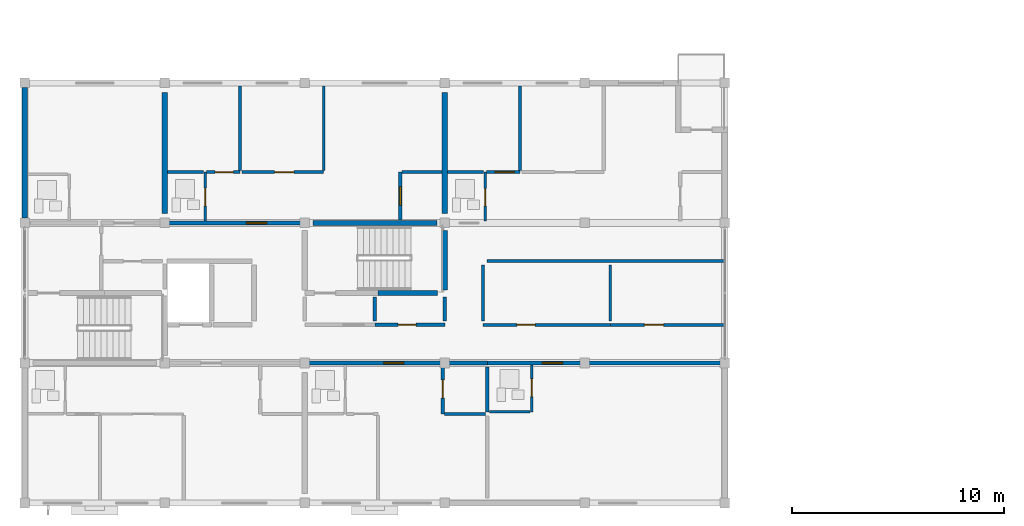
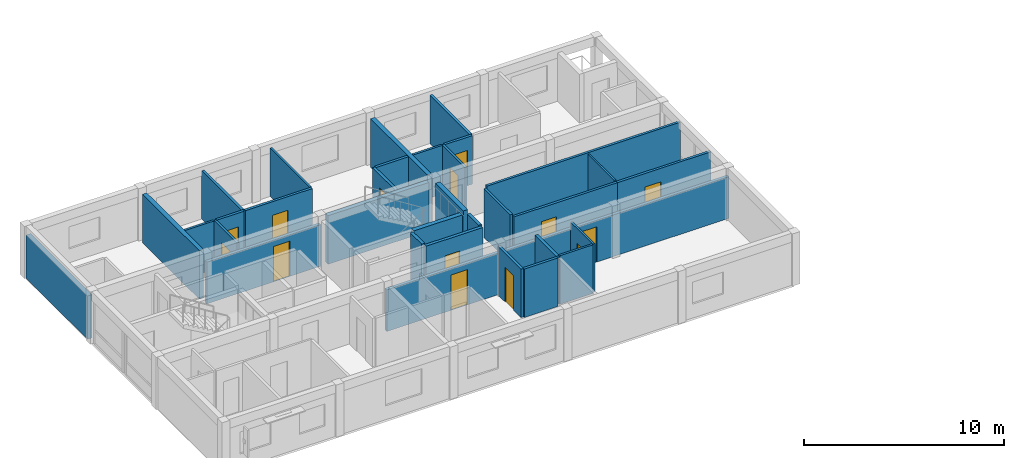
# One storey, part 21 of 37: 34 walls, 14 doors, 14 openings.
"""IFC4 building model written with IfcOpenShell, lengths in metres."""

from ifc_helpers import new_model, si_unit, direction, frame, frame_2d, origin, place, context, subcontext, project, spatial, rectangle, extrude, material, layer, layer_set, type_object, element, fill, save


model = new_model("IFC4")

# Units and contexts
model_context = context("Model", 3, precision=1e-05, world=origin(), true_north=direction((0.0, 1.0)))
body_context = subcontext(model_context, "Body", "Model", "MODEL_VIEW")
ifc_project = project(units=[si_unit("LENGTHUNIT", "METRE"), si_unit("AREAUNIT", "SQUARE_METRE"), si_unit("VOLUMEUNIT", "CUBIC_METRE"), si_unit("PLANEANGLEUNIT", "RADIAN"), si_unit("MASSUNIT", "GRAM", prefix="KILO")], contexts=[model_context])

# Site, building, storey
site_placement = place(None, origin())
site = spatial("IfcSite", under=ifc_project, at=site_placement, CompositionType="ELEMENT")
building_placement = place(site_placement, origin())
building = spatial("IfcBuilding", under=site, at=building_placement, Name="Kernevlak Ridge Housing Community", CompositionType="ELEMENT")
storey_placement = place(building_placement, frame((0.0, 0.0, 37.199951171875)))
storey = spatial("IfcBuildingStorey", under=building, at=storey_placement, Name="L11", CompositionType="ELEMENT", Elevation=37.199951171875)

# Wall
ifc_material_1 = material(Name="Concrete block masonry M10", Category="masonry")
ifc_layer_1 = layer(ifc_material_1, 0.260009765625, Name="Concrete block masonry M10")
ifc_layer_set_1 = layer_set([ifc_layer_1], Name="Concrete block masonry M10")
wall_type_1 = type_object("IfcWallType", Name="EW-05", PredefinedType="STANDARD", material=ifc_layer_set_1)
wall_1_placement = place(storey_placement, frame((15.60009765625, 89.425048828125, 0.0), z_axis=(0.0, 0.0, 1.0), x_axis=(0.0, 1.0, 0.0)))
element("IfcWall", 1, at=wall_1_placement, inside=storey, type_object=wall_type_1, Name="Exterior wall EW-05 L11 186", PredefinedType="STANDARD", context=body_context, shape_type="SweptSolid", body=[
    extrude(rectangle(XDim=6.14990234375, YDim=0.260009765625, at=frame_2d((3.074951171875, 0.0))), origin(), (0.0, 0.0, 1.0), 2.650146484375),
])

# Wall, opening, door
ifc_layer_2 = layer(ifc_material_1, 0.175048828125, Name="Concrete block masonry M10")
ifc_layer_set_2 = layer_set([ifc_layer_2], Name="Concrete block masonry M10")
wall_type_2 = type_object("IfcWallType", Name="PW-02", PredefinedType="PARTITIONING", material=ifc_layer_set_2)
wall_2_placement = place(storey_placement, frame((32.10009765625, 84.39990234375, 0.0), z_axis=(0.0, 0.0, 1.0), x_axis=(1.0, 0.0, 0.0)))
wall_2 = element("IfcWall", 2, at=wall_2_placement, inside=storey, type_object=wall_type_2, Name="Interior wall PW-02 WAL-INT-L11-0705", PredefinedType="PARTITIONING", context=body_context, shape_type="SweptSolid", body=[
    extrude(rectangle(XDim=3.2998046875, YDim=0.175048828125, at=frame_2d((1.64990234375, 0.0))), origin(), (0.0, 0.0, 1.0), 2.969970703125),
])
opening_1_placement = place(wall_2_placement, frame((1.10009765625, 0.0, 0.0)))
opening_1 = element("IfcOpeningElement", 3, at=opening_1_placement, cuts=wall_2, Name="Opening D356", PredefinedType="OPENING", context=body_context, shape_type="SweptSolid", body=[
    extrude(rectangle(XDim=0.85009765625, YDim=2.0, at=frame_2d((0.425048828125, 1.0))), frame((0.0, 0.097412109375, 0.0), z_axis=(0.0, -1.0, 0.0), x_axis=(1.0, 0.0, 0.0)), (0.0, 0.0, 1.0), 0.195068359375),
])
ifc_material_2 = material(Name="Fire-rated sheet steel leaf", Category="steel")
door_type_1 = type_object("IfcDoorType", Name="DT-07", OperationType="NOTDEFINED", PredefinedType="DOOR", material=ifc_material_2)
door_1_placement = place(opening_1_placement, origin())
door_1 = element("IfcDoor", 4, at=door_1_placement, inside=storey, type_object=door_type_1, Name="Block A Cleaner store door D356", OperationType="SINGLE_SWING_RIGHT", OverallHeight=2.0, OverallWidth=0.85009765625, PredefinedType="DOOR", context=body_context, shape_type="SweptSolid", body=[
    extrude(rectangle(XDim=0.85009765625, YDim=2.0, at=frame_2d((0.425048828125, 1.0))), frame((0.0, 0.02490234375, 0.0), z_axis=(0.0, -1.0, 0.0), x_axis=(1.0, 0.0, 0.0)), (0.0, 0.0, 1.0), 0.050048828125),
])
fill(opening_1, door_1)

# Walls
for number, where, z_axis, x_axis, name in (
    (5, (32.10009765625, 84.580078125, 0.0), (0.0, 0.0, 1.0), (0.0, 1.0, 0.0), "Interior wall PW-02 WAL-INT-L11-0707"),
    (6, (35.39990234375, 84.580078125, 0.0), (0.0, 0.0, 1.0), (0.0, 1.0, 0.0), "Interior wall PW-02 WAL-INT-L11-0708"),
):
    element("IfcWall", number, at=place(storey_placement, frame(where, z_axis=z_axis, x_axis=x_axis)), inside=storey, type_object=wall_type_2, Name=name, PredefinedType="PARTITIONING", context=body_context, shape_type="SweptSolid", body=[
        extrude(rectangle(XDim=1.139892578125, YDim=0.175048828125, at=frame_2d((0.56982421875, 0.0))), origin(), (0.0, 0.0, 1.0), 2.969970703125),
    ])

# Wall, opening, door
wall_3_placement = place(storey_placement, frame((28.800048828125, 82.60009765625, 0.0), z_axis=(0.0, 0.0, 1.0), x_axis=(1.0, 0.0, 0.0)))
wall_3 = element("IfcWall", 7, at=wall_3_placement, inside=storey, type_object=wall_type_2, Name="Interior wall PW-02 WAL-INT-L11-0723", PredefinedType="PARTITIONING", context=body_context, shape_type="SweptSolid", body=[
    extrude(rectangle(XDim=8.599853515625, YDim=0.175048828125, at=frame_2d((4.2998046875, 0.0))), origin(), (0.0, 0.0, 1.0), 2.550048828125),
])
opening_2_placement = place(wall_3_placement, frame((3.72509765625, 0.0, 0.0)))
opening_2 = element("IfcOpeningElement", 8, at=opening_2_placement, cuts=wall_3, Name="Opening D364", PredefinedType="OPENING", context=body_context, shape_type="SweptSolid", body=[
    extrude(rectangle(XDim=0.949951171875, YDim=2.159912109375, at=frame_2d((0.47509765625, 1.080078125))), frame((0.0, 0.097412109375, 0.0), z_axis=(0.0, -1.0, 0.0), x_axis=(1.0, 0.0, 0.0)), (0.0, 0.0, 1.0), 0.195068359375),
])
ifc_material_3 = material(Name="Hardwood timber solid-core fire leaf", Category="wood")
door_type_2 = type_object("IfcDoorType", Name="DT-02", OperationType="NOTDEFINED", PredefinedType="DOOR", material=ifc_material_3)
door_2_placement = place(opening_2_placement, origin())
door_2 = element("IfcDoor", 9, at=door_2_placement, inside=storey, type_object=door_type_2, Name="Flat A1112 entrance fire door D364", OperationType="SINGLE_SWING_RIGHT", OverallHeight=2.159912109375, OverallWidth=0.949951171875, PredefinedType="DOOR", context=body_context, shape_type="SweptSolid", body=[
    extrude(rectangle(XDim=0.949951171875, YDim=2.159912109375, at=frame_2d((0.47509765625, 1.080078125))), frame((0.0, 0.02490234375, 0.0), z_axis=(0.0, -1.0, 0.0), x_axis=(1.0, 0.0, 0.0)), (0.0, 0.0, 1.0), 0.050048828125),
])
fill(opening_2, door_2)

# Wall
wall_4_placement = place(storey_placement, frame((37.39990234375, 82.419921875, 0.0), z_axis=(0.0, 0.0, 1.0), x_axis=(0.0, -1.0, 0.0)))
element("IfcWall", 10, at=wall_4_placement, inside=storey, type_object=wall_type_2, Name="Interior wall PW-02 WAL-INT-L11-0730", PredefinedType="PARTITIONING", context=body_context, shape_type="SweptSolid", body=[
    extrude(rectangle(XDim=2.13232421875, YDim=0.175048828125, at=frame_2d((1.066162109375, 0.0))), origin(), (0.0, 0.0, 1.0), 2.969970703125),
])

# Wall, opening, door
wall_5_placement = place(storey_placement, frame((37.39990234375, 82.60009765625, 0.0), z_axis=(0.0, 0.0, 1.0), x_axis=(1.0, 0.0, 0.0)))
wall_5 = element("IfcWall", 11, at=wall_5_placement, inside=storey, type_object=wall_type_2, Name="Interior wall PW-02 WAL-INT-L11-0731", PredefinedType="PARTITIONING", context=body_context, shape_type="SweptSolid", body=[
    extrude(rectangle(XDim=11.2001953125, YDim=0.175048828125, at=frame_2d((5.60009765625, 0.0))), origin(), (0.0, 0.0, 1.0), 2.550048828125),
])
opening_3_placement = place(wall_5_placement, frame((2.60009765625, 0.0, 0.0)))
opening_3 = element("IfcOpeningElement", 12, at=opening_3_placement, cuts=wall_5, Name="Opening D368", PredefinedType="OPENING", context=body_context, shape_type="SweptSolid", body=[
    extrude(rectangle(XDim=0.949951171875, YDim=2.159912109375, at=frame_2d((0.47509765625, 1.080078125))), frame((0.0, 0.097412109375, 0.0), z_axis=(0.0, -1.0, 0.0), x_axis=(1.0, 0.0, 0.0)), (0.0, 0.0, 1.0), 0.195068359375),
])
door_3_placement = place(opening_3_placement, origin())
door_3 = element("IfcDoor", 13, at=door_3_placement, inside=storey, type_object=door_type_2, Name="Flat A1113 entrance fire door D368", OperationType="SINGLE_SWING_RIGHT", OverallHeight=2.159912109375, OverallWidth=0.949951171875, PredefinedType="DOOR", context=body_context, shape_type="SweptSolid", body=[
    extrude(rectangle(XDim=0.949951171875, YDim=2.159912109375, at=frame_2d((0.47509765625, 1.080078125))), frame((0.0, 0.02490234375, 0.0), z_axis=(0.0, -1.0, 0.0), x_axis=(1.0, 0.0, 0.0)), (0.0, 0.0, 1.0), 0.050048828125),
])
fill(opening_3, door_3)

wall_6_placement = place(storey_placement, frame((22.199951171875, 89.199951171875, 0.0), z_axis=(0.0, 0.0, 1.0), x_axis=(1.0, 0.0, 0.0)))
wall_6 = element("IfcWall", 14, at=wall_6_placement, inside=storey, type_object=wall_type_2, Name="Interior wall PW-02 WAL-INT-L11-0738", PredefinedType="PARTITIONING", context=body_context, shape_type="SweptSolid", body=[
    extrude(rectangle(XDim=6.60009765625, YDim=0.175048828125, at=frame_2d((3.300048828125, 0.0))), origin(), (0.0, 0.0, 1.0), 2.550048828125),
])
opening_4_placement = place(wall_6_placement, frame((3.85009765625, 0.0, 0.0)))
opening_4 = element("IfcOpeningElement", 15, at=opening_4_placement, cuts=wall_6, Name="Opening D372", PredefinedType="OPENING", context=body_context, shape_type="SweptSolid", body=[
    extrude(rectangle(XDim=0.949951171875, YDim=2.159912109375, at=frame_2d((0.47509765625, 1.080078125))), frame((0.0, 0.097412109375, 0.0), z_axis=(0.0, -1.0, 0.0), x_axis=(1.0, 0.0, 0.0)), (0.0, 0.0, 1.0), 0.195068359375),
])
door_4_placement = place(opening_4_placement, origin())
door_4 = element("IfcDoor", 16, at=door_4_placement, inside=storey, type_object=door_type_2, Name="Flat A1122 entrance fire door D372", OperationType="SINGLE_SWING_RIGHT", OverallHeight=2.159912109375, OverallWidth=0.949951171875, PredefinedType="DOOR", context=body_context, shape_type="SweptSolid", body=[
    extrude(rectangle(XDim=0.949951171875, YDim=2.159912109375, at=frame_2d((0.47509765625, 1.080078125))), frame((0.0, 0.02490234375, 0.0), z_axis=(0.0, -1.0, 0.0), x_axis=(1.0, 0.0, 0.0)), (0.0, 0.0, 1.0), 0.050048828125),
])
fill(opening_4, door_4)

ifc_layer_3 = layer(ifc_material_1, 0.14501953125, Name="Concrete block masonry M10")
ifc_layer_set_3 = layer_set([ifc_layer_3], Name="Concrete block masonry M10")
wall_type_3 = type_object("IfcWallType", Name="PW-03", PredefinedType="PARTITIONING", material=ifc_layer_set_3)
wall_7_placement = place(storey_placement, frame((37.199951171875, 84.39990234375, 0.0), z_axis=(0.0, 0.0, 1.0), x_axis=(1.0, 0.0, 0.0)))
wall_7 = element("IfcWall", 17, at=wall_7_placement, inside=storey, type_object=wall_type_3, Name="Interior wall PW-03 WAL-INT-L11-0709", PredefinedType="PARTITIONING", context=body_context, shape_type="SweptSolid", body=[
    extrude(rectangle(XDim=6.0, YDim=0.14501953125, at=frame_2d((3.0, 0.0))), origin(), (0.0, 0.0, 1.0), 2.969970703125),
])
opening_5_placement = place(wall_7_placement, frame((1.60009765625, 0.0, 0.0)))
opening_5 = element("IfcOpeningElement", 18, at=opening_5_placement, cuts=wall_7, Name="Opening D357", PredefinedType="OPENING", context=body_context, shape_type="SweptSolid", body=[
    extrude(rectangle(XDim=0.860107421875, YDim=2.1201171875, at=frame_2d((0.43017578125, 1.06005859375))), frame((0.0, 0.08251953125, 0.0), z_axis=(0.0, -1.0, 0.0), x_axis=(1.0, 0.0, 0.0)), (0.0, 0.0, 1.0), 0.1650390625),
])
ifc_material_4 = material(Name="Hardwood timber leaf", Category="wood")
door_type_3 = type_object("IfcDoorType", Name="DT-28", OperationType="NOTDEFINED", PredefinedType="DOOR", material=ifc_material_4)
door_5_placement = place(opening_5_placement, origin())
door_5 = element("IfcDoor", 19, at=door_5_placement, inside=storey, type_object=door_type_3, Name="Block A Laundry room door D357", OperationType="SINGLE_SWING_LEFT", OverallHeight=2.1201171875, OverallWidth=0.860107421875, PredefinedType="DOOR", context=body_context, shape_type="SweptSolid", body=[
    extrude(rectangle(XDim=0.860107421875, YDim=2.1201171875, at=frame_2d((0.43017578125, 1.06005859375))), frame((0.0, 0.02490234375, 0.0), z_axis=(0.0, -1.0, 0.0), x_axis=(1.0, 0.0, 0.0)), (0.0, 0.0, 1.0), 0.050048828125),
])
fill(opening_5, door_5)

wall_8_placement = place(storey_placement, frame((43.199951171875, 84.39990234375, 0.0), z_axis=(0.0, 0.0, 1.0), x_axis=(1.0, 0.0, 0.0)))
wall_8 = element("IfcWall", 20, at=wall_8_placement, inside=storey, type_object=wall_type_3, Name="Interior wall PW-03 WAL-INT-L11-0710", PredefinedType="PARTITIONING", context=body_context, shape_type="SweptSolid", body=[
    extrude(rectangle(XDim=5.400146484375, YDim=0.14501953125, at=frame_2d((2.7001953125, 0.0))), origin(), (0.0, 0.0, 1.0), 2.969970703125),
])
opening_6_placement = place(wall_8_placement, frame((1.60009765625, 0.0, 0.0)))
opening_6 = element("IfcOpeningElement", 21, at=opening_6_placement, cuts=wall_8, Name="Opening D358", PredefinedType="OPENING", context=body_context, shape_type="SweptSolid", body=[
    extrude(rectangle(XDim=0.909912109375, YDim=2.139892578125, at=frame_2d((0.455078125, 1.06982421875))), frame((0.0, 0.08251953125, 0.0), z_axis=(0.0, -1.0, 0.0), x_axis=(1.0, 0.0, 0.0)), (0.0, 0.0, 1.0), 0.1650390625),
])
door_type_4 = type_object("IfcDoorType", Name="DT-31", OperationType="NOTDEFINED", PredefinedType="DOOR", material=ifc_material_4)
door_6_placement = place(opening_6_placement, origin())
door_6 = element("IfcDoor", 22, at=door_6_placement, inside=storey, type_object=door_type_4, Name="Block A Study room door D358", OperationType="SINGLE_SWING_RIGHT", OverallHeight=2.139892578125, OverallWidth=0.909912109375, PredefinedType="DOOR", context=body_context, shape_type="SweptSolid", body=[
    extrude(rectangle(XDim=0.909912109375, YDim=2.139892578125, at=frame_2d((0.455078125, 1.06982421875))), frame((0.0, 0.02490234375, 0.0), z_axis=(0.0, -1.0, 0.0), x_axis=(1.0, 0.0, 0.0)), (0.0, 0.0, 1.0), 0.050048828125),
])
fill(opening_6, door_6)

# Walls
wall_9_placement = place(storey_placement, frame((37.3798828125, 87.39990234375, 0.0), z_axis=(0.0, 0.0, 1.0), x_axis=(1.0, 0.0, 0.0)))
element("IfcWall", 23, at=wall_9_placement, inside=storey, type_object=wall_type_3, Name="Interior wall PW-03 WAL-INT-L11-0712", PredefinedType="PARTITIONING", context=body_context, shape_type="SweptSolid", body=[
    extrude(rectangle(XDim=11.2001953125, YDim=0.14501953125, at=frame_2d((5.60009765625, 0.0))), origin(), (0.0, 0.0, 1.0), 2.969970703125),
])
wall_10_placement = place(storey_placement, frame((37.199951171875, 84.580078125, 0.0), z_axis=(0.0, 0.0, 1.0), x_axis=(0.0, 1.0, 0.0)))
element("IfcWall", 24, at=wall_10_placement, inside=storey, type_object=wall_type_3, Name="Interior wall PW-03 WAL-INT-L11-0713", PredefinedType="PARTITIONING", context=body_context, shape_type="SweptSolid", body=[
    extrude(rectangle(XDim=2.639892578125, YDim=0.14501953125, at=frame_2d((1.31982421875, 0.0))), origin(), (0.0, 0.0, 1.0), 2.969970703125),
])

# Wall, opening, door
wall_11_placement = place(storey_placement, frame((24.172607421875, 91.60009765625, 0.0), z_axis=(0.0, 0.0, 1.0), x_axis=(1.0, 0.0, 0.0)))
wall_11 = element("IfcWall", 25, at=wall_11_placement, inside=storey, type_object=wall_type_3, Name="Interior wall PW-03 WAL-INT-L11-0743", PredefinedType="PARTITIONING", context=body_context, shape_type="SweptSolid", body=[
    extrude(rectangle(XDim=1.577392578125, YDim=0.14501953125, at=frame_2d((0.78857421875, 0.0))), origin(), (0.0, 0.0, 1.0), 2.969970703125),
])
opening_7_placement = place(wall_11_placement, frame((0.39990234375, 0.0, 0.0)))
opening_7 = element("IfcOpeningElement", 26, at=opening_7_placement, cuts=wall_11, Name="Opening D375", PredefinedType="OPENING", context=body_context, shape_type="SweptSolid", body=[
    extrude(rectangle(XDim=0.860107421875, YDim=2.1201171875, at=frame_2d((0.43017578125, 1.06005859375))), frame((0.0, 0.08251953125, 0.0), z_axis=(0.0, -1.0, 0.0), x_axis=(1.0, 0.0, 0.0)), (0.0, 0.0, 1.0), 0.1650390625),
])
door_7_placement = place(opening_7_placement, origin())
door_7 = element("IfcDoor", 27, at=door_7_placement, inside=storey, type_object=door_type_3, Name="Flat A1122 bedroom door D375", OperationType="SINGLE_SWING_LEFT", OverallHeight=2.1201171875, OverallWidth=0.860107421875, PredefinedType="DOOR", context=body_context, shape_type="SweptSolid", body=[
    extrude(rectangle(XDim=0.860107421875, YDim=2.1201171875, at=frame_2d((0.43017578125, 1.06005859375))), frame((0.0, 0.02490234375, 0.0), z_axis=(0.0, -1.0, 0.0), x_axis=(1.0, 0.0, 0.0)), (0.0, 0.0, 1.0), 0.050048828125),
])
fill(opening_7, door_7)

# Wall
wall_12_placement = place(storey_placement, frame((25.75, 91.6826171875, 0.0), z_axis=(0.0, 0.0, 1.0), x_axis=(0.0, 1.0, 0.0)))
element("IfcWall", 28, at=wall_12_placement, inside=storey, type_object=wall_type_3, Name="Interior wall PW-03 WAL-INT-L11-0744", PredefinedType="PARTITIONING", context=body_context, shape_type="SweptSolid", body=[
    extrude(rectangle(XDim=3.977294921875, YDim=0.14501953125, at=frame_2d((1.98876953125, 0.0))), origin(), (0.0, 0.0, 1.0), 2.969970703125),
])

# Wall, opening, door
wall_13_placement = place(storey_placement, frame((25.83251953125, 91.60009765625, 0.0), z_axis=(0.0, 0.0, 1.0), x_axis=(1.0, 0.0, 0.0)))
wall_13 = element("IfcWall", 29, at=wall_13_placement, inside=storey, type_object=wall_type_3, Name="Interior wall PW-03 WAL-INT-L11-0745", PredefinedType="PARTITIONING", context=body_context, shape_type="SweptSolid", body=[
    extrude(rectangle(XDim=3.859375, YDim=0.14501953125, at=frame_2d((1.9296875, 0.0))), origin(), (0.0, 0.0, 1.0), 2.969970703125),
])
opening_8_placement = place(wall_13_placement, frame((1.5458984375, 0.0, 0.0)))
opening_8 = element("IfcOpeningElement", 30, at=opening_8_placement, cuts=wall_13, Name="Opening D376", PredefinedType="OPENING", context=body_context, shape_type="SweptSolid", body=[
    extrude(rectangle(XDim=0.909912109375, YDim=2.139892578125, at=frame_2d((0.455078125, 1.06982421875))), frame((0.0, 0.08251953125, 0.0), z_axis=(0.0, -1.0, 0.0), x_axis=(1.0, 0.0, 0.0)), (0.0, 0.0, 1.0), 0.1650390625),
])
door_8_placement = place(opening_8_placement, origin())
door_8 = element("IfcDoor", 31, at=door_8_placement, inside=storey, type_object=door_type_4, Name="Flat A1122 bedroom door D376", OperationType="SINGLE_SWING_RIGHT", OverallHeight=2.139892578125, OverallWidth=0.909912109375, PredefinedType="DOOR", context=body_context, shape_type="SweptSolid", body=[
    extrude(rectangle(XDim=0.909912109375, YDim=2.139892578125, at=frame_2d((0.455078125, 1.06982421875))), frame((0.0, 0.02490234375, 0.0), z_axis=(0.0, -1.0, 0.0), x_axis=(1.0, 0.0, 0.0)), (0.0, 0.0, 1.0), 0.050048828125),
])
fill(opening_8, door_8)

wall_14_placement = place(storey_placement, frame((37.37255859375, 91.60009765625, 0.0), z_axis=(0.0, 0.0, 1.0), x_axis=(1.0, 0.0, 0.0)))
wall_14 = element("IfcWall", 32, at=wall_14_placement, inside=storey, type_object=wall_type_3, Name="Interior wall PW-03 WAL-INT-L11-0752", PredefinedType="PARTITIONING", context=body_context, shape_type="SweptSolid", body=[
    extrude(rectangle(XDim=1.577392578125, YDim=0.14501953125, at=frame_2d((0.78857421875, 0.0))), origin(), (0.0, 0.0, 1.0), 2.969970703125),
])
opening_9_placement = place(wall_14_placement, frame((0.39990234375, 0.0, 0.0)))
opening_9 = element("IfcOpeningElement", 33, at=opening_9_placement, cuts=wall_14, Name="Opening D380", PredefinedType="OPENING", context=body_context, shape_type="SweptSolid", body=[
    extrude(rectangle(XDim=0.89990234375, YDim=2.159912109375, at=frame_2d((0.449951171875, 1.080078125))), frame((0.0, 0.08251953125, 0.0), z_axis=(0.0, -1.0, 0.0), x_axis=(1.0, 0.0, 0.0)), (0.0, 0.0, 1.0), 0.1650390625),
])
door_type_5 = type_object("IfcDoorType", Name="DT-22", OperationType="NOTDEFINED", PredefinedType="DOOR", material=ifc_material_4)
door_9_placement = place(opening_9_placement, origin())
door_9 = element("IfcDoor", 34, at=door_9_placement, inside=storey, type_object=door_type_5, Name="Flat A1123 bedroom door D380", OperationType="SINGLE_SWING_RIGHT", OverallHeight=2.159912109375, OverallWidth=0.89990234375, PredefinedType="DOOR", context=body_context, shape_type="SweptSolid", body=[
    extrude(rectangle(XDim=0.89990234375, YDim=2.159912109375, at=frame_2d((0.449951171875, 1.080078125))), frame((0.0, 0.02490234375, 0.0), z_axis=(0.0, -1.0, 0.0), x_axis=(1.0, 0.0, 0.0)), (0.0, 0.0, 1.0), 0.050048828125),
])
fill(opening_9, door_9)

# Wall
wall_15_placement = place(storey_placement, frame((38.949951171875, 91.6826171875, 0.0), z_axis=(0.0, 0.0, 1.0), x_axis=(0.0, 1.0, 0.0)))
element("IfcWall", 35, at=wall_15_placement, inside=storey, type_object=wall_type_3, Name="Interior wall PW-03 WAL-INT-L11-0753", PredefinedType="PARTITIONING", context=body_context, shape_type="SweptSolid", body=[
    extrude(rectangle(XDim=3.977294921875, YDim=0.14501953125, at=frame_2d((1.98876953125, 0.0))), origin(), (0.0, 0.0, 1.0), 2.969970703125),
])

# Wall, opening, door
ifc_material_5 = material(Name="Gypsum plasterboard EN 520", Category="gypsum")
ifc_layer_4 = layer(ifc_material_5, 0.125, Name="Gypsum plasterboard EN 520")
ifc_layer_set_4 = layer_set([ifc_layer_4], Name="Gypsum plasterboard EN 520")
wall_type_4 = type_object("IfcWallType", Name="PW-04", PredefinedType="PARTITIONING", material=ifc_layer_set_4)
wall_16_placement = place(storey_placement, frame((39.5, 82.50244140625, 0.0), z_axis=(0.0, 0.0, 1.0), x_axis=(0.0, -1.0, 0.0)))
wall_16 = element("IfcWall", 36, at=wall_16_placement, inside=storey, type_object=wall_type_4, Name="Interior wall PW-04 WAL-INT-L11-0732", PredefinedType="PARTITIONING", context=body_context, shape_type="SweptSolid", body=[
    extrude(rectangle(XDim=2.202392578125, YDim=0.125, at=frame_2d((1.10107421875, 0.0))), origin(), (0.0, 0.0, 1.0), 2.969970703125),
])
opening_10_placement = place(wall_16_placement, frame((0.64990234375, 0.0, 0.0)))
opening_10 = element("IfcOpeningElement", 37, at=opening_10_placement, cuts=wall_16, Name="Opening D369", PredefinedType="OPENING", context=body_context, shape_type="SweptSolid", body=[
    extrude(rectangle(XDim=0.840087890625, YDim=2.06005859375, at=frame_2d((0.419921875, 1.030029296875))), frame((0.0, 0.072509765625, 0.0), z_axis=(0.0, -1.0, 0.0), x_axis=(1.0, 0.0, 0.0)), (0.0, 0.0, 1.0), 0.14501953125),
])
ifc_material_6 = material(Name="Hardwood timber moisture-resistant leaf", Category="wood")
door_type_6 = type_object("IfcDoorType", Name="DT-27", OperationType="NOTDEFINED", PredefinedType="DOOR", material=ifc_material_6)
door_10_placement = place(opening_10_placement, origin())
door_10 = element("IfcDoor", 38, at=door_10_placement, inside=storey, type_object=door_type_6, Name="Flat A1113 bathroom door D369", OperationType="SINGLE_SWING_LEFT", OverallHeight=2.06005859375, OverallWidth=0.840087890625, PredefinedType="DOOR", context=body_context, shape_type="SweptSolid", body=[
    extrude(rectangle(XDim=0.840087890625, YDim=2.06005859375, at=frame_2d((0.419921875, 1.030029296875))), frame((0.0, 0.02490234375, 0.0), z_axis=(0.0, -1.0, 0.0), x_axis=(1.0, 0.0, 0.0)), (0.0, 0.0, 1.0), 0.050048828125),
])
fill(opening_10, door_10)

# Wall
wall_17_placement = place(storey_placement, frame((37.49755859375, 80.300048828125, 0.0), z_axis=(0.0, 0.0, 1.0), x_axis=(1.0, 0.0, 0.0)))
element("IfcWall", 39, at=wall_17_placement, inside=storey, type_object=wall_type_4, Name="Interior wall PW-04 WAL-INT-L11-0733", PredefinedType="PARTITIONING", context=body_context, shape_type="SweptSolid", body=[
    extrude(rectangle(XDim=1.92236328125, YDim=0.125, at=frame_2d((0.961181640625, 0.0))), origin(), (0.0, 0.0, 1.0), 2.969970703125),
])

# Wall, opening, door
wall_18_placement = place(storey_placement, frame((24.10009765625, 89.297607421875, 0.0), z_axis=(0.0, 0.0, 1.0), x_axis=(0.0, 1.0, 0.0)))
wall_18 = element("IfcWall", 40, at=wall_18_placement, inside=storey, type_object=wall_type_4, Name="Interior wall PW-04 WAL-INT-L11-0739", PredefinedType="PARTITIONING", context=body_context, shape_type="SweptSolid", body=[
    extrude(rectangle(XDim=2.302490234375, YDim=0.125, at=frame_2d((1.1513671875, 0.0))), origin(), (0.0, 0.0, 1.0), 2.969970703125),
])
opening_11_placement = place(wall_18_placement, frame((0.699951171875, 0.0, 0.0)))
opening_11 = element("IfcOpeningElement", 41, at=opening_11_placement, cuts=wall_18, Name="Opening D373", PredefinedType="OPENING", context=body_context, shape_type="SweptSolid", body=[
    extrude(rectangle(XDim=0.840087890625, YDim=2.06005859375, at=frame_2d((0.419921875, 1.030029296875))), frame((0.0, 0.072509765625, 0.0), z_axis=(0.0, -1.0, 0.0), x_axis=(1.0, 0.0, 0.0)), (0.0, 0.0, 1.0), 0.14501953125),
])
door_11_placement = place(opening_11_placement, origin())
door_11 = element("IfcDoor", 42, at=door_11_placement, inside=storey, type_object=door_type_6, Name="Flat A1122 bathroom door D373", OperationType="SINGLE_SWING_LEFT", OverallHeight=2.06005859375, OverallWidth=0.840087890625, PredefinedType="DOOR", context=body_context, shape_type="SweptSolid", body=[
    extrude(rectangle(XDim=0.840087890625, YDim=2.06005859375, at=frame_2d((0.419921875, 1.030029296875))), frame((0.0, 0.02490234375, 0.0), z_axis=(0.0, -1.0, 0.0), x_axis=(1.0, 0.0, 0.0)), (0.0, 0.0, 1.0), 0.050048828125),
])
fill(opening_11, door_11)

# Wall
wall_19_placement = place(storey_placement, frame((22.3349609375, 91.60009765625, 0.0), z_axis=(0.0, 0.0, 1.0), x_axis=(1.0, 0.0, 0.0)))
element("IfcWall", 43, at=wall_19_placement, inside=storey, type_object=wall_type_4, Name="Interior wall PW-04 WAL-INT-L11-0740", PredefinedType="PARTITIONING", context=body_context, shape_type="SweptSolid", body=[
    extrude(rectangle(XDim=1.68505859375, YDim=0.125, at=frame_2d((0.842529296875, 0.0))), origin(), (0.0, 0.0, 1.0), 2.969970703125),
])

# Wall, opening, door
wall_20_placement = place(storey_placement, frame((37.300048828125, 89.297607421875, 0.0), z_axis=(0.0, 0.0, 1.0), x_axis=(0.0, 1.0, 0.0)))
wall_20 = element("IfcWall", 44, at=wall_20_placement, inside=storey, type_object=wall_type_4, Name="Interior wall PW-04 WAL-INT-L11-0748", PredefinedType="PARTITIONING", context=body_context, shape_type="SweptSolid", body=[
    extrude(rectangle(XDim=2.302490234375, YDim=0.125, at=frame_2d((1.1513671875, 0.0))), origin(), (0.0, 0.0, 1.0), 2.969970703125),
])
opening_12_placement = place(wall_20_placement, frame((0.699951171875, 0.0, 0.0)))
opening_12 = element("IfcOpeningElement", 45, at=opening_12_placement, cuts=wall_20, Name="Opening D378", PredefinedType="OPENING", context=body_context, shape_type="SweptSolid", body=[
    extrude(rectangle(XDim=0.820068359375, YDim=2.050048828125, at=frame_2d((0.41015625, 1.02490234375))), frame((0.0, 0.072509765625, 0.0), z_axis=(0.0, -1.0, 0.0), x_axis=(1.0, 0.0, 0.0)), (0.0, 0.0, 1.0), 0.14501953125),
])
door_type_7 = type_object("IfcDoorType", Name="DT-30", OperationType="NOTDEFINED", PredefinedType="DOOR", material=ifc_material_6)
door_12_placement = place(opening_12_placement, origin())
door_12 = element("IfcDoor", 46, at=door_12_placement, inside=storey, type_object=door_type_7, Name="Flat A1123 bathroom door D378", OperationType="SINGLE_SWING_RIGHT", OverallHeight=2.050048828125, OverallWidth=0.820068359375, PredefinedType="DOOR", context=body_context, shape_type="SweptSolid", body=[
    extrude(rectangle(XDim=0.820068359375, YDim=2.050048828125, at=frame_2d((0.41015625, 1.02490234375))), frame((0.0, 0.02490234375, 0.0), z_axis=(0.0, -1.0, 0.0), x_axis=(1.0, 0.0, 0.0)), (0.0, 0.0, 1.0), 0.050048828125),
])
fill(opening_12, door_12)

# Wall
wall_21_placement = place(storey_placement, frame((35.534912109375, 91.60009765625, 0.0), z_axis=(0.0, 0.0, 1.0), x_axis=(1.0, 0.0, 0.0)))
element("IfcWall", 47, at=wall_21_placement, inside=storey, type_object=wall_type_4, Name="Interior wall PW-04 WAL-INT-L11-0749", PredefinedType="PARTITIONING", context=body_context, shape_type="SweptSolid", body=[
    extrude(rectangle(XDim=1.68505859375, YDim=0.125, at=frame_2d((0.842529296875, 0.0))), origin(), (0.0, 0.0, 1.0), 2.969970703125),
])

# Wall, opening, door
ifc_layer_5 = layer(ifc_material_5, 0.155029296875, Name="Gypsum plasterboard EN 520")
ifc_layer_set_5 = layer_set([ifc_layer_5], Name="Gypsum plasterboard EN 520")
wall_type_5 = type_object("IfcWallType", Name="PW-05", PredefinedType="PARTITIONING", material=ifc_layer_set_5)
wall_22_placement = place(storey_placement, frame((35.300048828125, 82.50244140625, 0.0), z_axis=(0.0, 0.0, 1.0), x_axis=(0.0, -1.0, 0.0)))
wall_22 = element("IfcWall", 48, at=wall_22_placement, inside=storey, type_object=wall_type_5, Name="Interior wall PW-05 WAL-INT-L11-0726", PredefinedType="PARTITIONING", context=body_context, shape_type="SweptSolid", body=[
    extrude(rectangle(XDim=2.302490234375, YDim=0.155029296875, at=frame_2d((1.1513671875, 0.0))), origin(), (0.0, 0.0, 1.0), 2.969970703125),
])
opening_13_placement = place(wall_22_placement, frame((0.699951171875, 0.0, 0.0)))
opening_13 = element("IfcOpeningElement", 49, at=opening_13_placement, cuts=wall_22, Name="Opening D366", PredefinedType="OPENING", context=body_context, shape_type="SweptSolid", body=[
    extrude(rectangle(XDim=0.860107421875, YDim=2.1201171875, at=frame_2d((0.43017578125, 1.06005859375))), frame((0.0, 0.08740234375, 0.0), z_axis=(0.0, -1.0, 0.0), x_axis=(1.0, 0.0, 0.0)), (0.0, 0.0, 1.0), 0.175048828125),
])
door_13_placement = place(opening_13_placement, origin())
door_13 = element("IfcDoor", 50, at=door_13_placement, inside=storey, type_object=door_type_3, Name="Flat A1112 kitchen door D366", OperationType="SINGLE_SWING_RIGHT", OverallHeight=2.1201171875, OverallWidth=0.860107421875, PredefinedType="DOOR", context=body_context, shape_type="SweptSolid", body=[
    extrude(rectangle(XDim=0.860107421875, YDim=2.1201171875, at=frame_2d((0.43017578125, 1.06005859375))), frame((0.0, 0.02490234375, 0.0), z_axis=(0.0, -1.0, 0.0), x_axis=(1.0, 0.0, 0.0)), (0.0, 0.0, 1.0), 0.050048828125),
])
fill(opening_13, door_13)

# Wall
wall_23_placement = place(storey_placement, frame((35.387451171875, 80.199951171875, 0.0), z_axis=(0.0, 0.0, 1.0), x_axis=(1.0, 0.0, 0.0)))
element("IfcWall", 51, at=wall_23_placement, inside=storey, type_object=wall_type_5, Name="Interior wall PW-05 WAL-INT-L11-0727", PredefinedType="PARTITIONING", context=body_context, shape_type="SweptSolid", body=[
    extrude(rectangle(XDim=1.9326171875, YDim=0.155029296875, at=frame_2d((0.96630859375, 0.0))), origin(), (0.0, 0.0, 1.0), 2.969970703125),
])

# Wall, opening, door
wall_24_placement = place(storey_placement, frame((33.300048828125, 89.3349609375, 0.0), z_axis=(0.0, 0.0, 1.0), x_axis=(0.0, 1.0, 0.0)))
wall_24 = element("IfcWall", 52, at=wall_24_placement, inside=storey, type_object=wall_type_5, Name="Interior wall PW-05 WAL-INT-L11-0741", PredefinedType="PARTITIONING", context=body_context, shape_type="SweptSolid", body=[
    extrude(rectangle(XDim=2.26513671875, YDim=0.155029296875, at=frame_2d((1.132568359375, 0.0))), origin(), (0.0, 0.0, 1.0), 2.969970703125),
])
opening_14_placement = place(wall_24_placement, frame((0.699951171875, 0.0, 0.0)))
opening_14 = element("IfcOpeningElement", 53, at=opening_14_placement, cuts=wall_24, Name="Opening D374", PredefinedType="OPENING", context=body_context, shape_type="SweptSolid", body=[
    extrude(rectangle(XDim=0.8798828125, YDim=2.159912109375, at=frame_2d((0.43994140625, 1.080078125))), frame((0.0, 0.08740234375, 0.0), z_axis=(0.0, -1.0, 0.0), x_axis=(1.0, 0.0, 0.0)), (0.0, 0.0, 1.0), 0.175048828125),
])
door_type_8 = type_object("IfcDoorType", Name="DT-26", OperationType="NOTDEFINED", PredefinedType="DOOR", material=ifc_material_4)
door_14_placement = place(opening_14_placement, origin())
door_14 = element("IfcDoor", 54, at=door_14_placement, inside=storey, type_object=door_type_8, Name="Flat A1122 kitchen door D374", OperationType="SINGLE_SWING_RIGHT", OverallHeight=2.159912109375, OverallWidth=0.8798828125, PredefinedType="DOOR", context=body_context, shape_type="SweptSolid", body=[
    extrude(rectangle(XDim=0.8798828125, YDim=2.159912109375, at=frame_2d((0.43994140625, 1.080078125))), frame((0.0, 0.02490234375, 0.0), z_axis=(0.0, -1.0, 0.0), x_axis=(1.0, 0.0, 0.0)), (0.0, 0.0, 1.0), 0.050048828125),
])
fill(opening_14, door_14)

# Walls
wall_25_placement = place(storey_placement, frame((33.387451171875, 91.60009765625, 0.0), z_axis=(0.0, 0.0, 1.0), x_axis=(1.0, 0.0, 0.0)))
element("IfcWall", 55, at=wall_25_placement, inside=storey, type_object=wall_type_5, Name="Interior wall PW-05 WAL-INT-L11-0742", PredefinedType="PARTITIONING", context=body_context, shape_type="SweptSolid", body=[
    extrude(rectangle(XDim=1.87744140625, YDim=0.155029296875, at=frame_2d((0.938720703125, 0.0))), origin(), (0.0, 0.0, 1.0), 2.969970703125),
])
ifc_layer_6 = layer(ifc_material_5, 0.10498046875, Name="Gypsum plasterboard EN 520")
ifc_layer_set_6 = layer_set([ifc_layer_6], Name="Gypsum plasterboard EN 520")
wall_type_6 = type_object("IfcWallType", Name="PW-06", PredefinedType="PARTITIONING", material=ifc_layer_set_6)
wall_26_placement = place(storey_placement, frame((43.199951171875, 84.580078125, 0.0), z_axis=(0.0, 0.0, 1.0), x_axis=(0.0, 1.0, 0.0)))
element("IfcWall", 56, at=wall_26_placement, inside=storey, type_object=wall_type_6, Name="Interior wall PW-06 WAL-INT-L11-0711", PredefinedType="PARTITIONING", context=body_context, shape_type="SweptSolid", body=[
    extrude(rectangle(XDim=2.639892578125, YDim=0.10498046875, at=frame_2d((1.31982421875, 0.0))), origin(), (0.0, 0.0, 1.0), 2.969970703125),
])
wall_27_placement = place(storey_placement, frame((29.69189453125, 91.6826171875, 0.0), z_axis=(0.0, 0.0, 1.0), x_axis=(0.0, 1.0, 0.0)))
element("IfcWall", 57, at=wall_27_placement, inside=storey, type_object=wall_type_6, Name="Interior wall PW-06 WAL-INT-L11-0746", PredefinedType="PARTITIONING", context=body_context, shape_type="SweptSolid", body=[
    extrude(rectangle(XDim=3.977294921875, YDim=0.10498046875, at=frame_2d((1.98876953125, 0.0))), origin(), (0.0, 0.0, 1.0), 2.969970703125),
])
ifc_material_7 = material(Name="Concrete C40/50", Category="concrete")
ifc_layer_7 = layer(ifc_material_7, 0.25, Name="Concrete C40/50")
ifc_layer_set_7 = layer_set([ifc_layer_7], Name="Concrete C40/50")
wall_type_7 = type_object("IfcWallType", Name="SW-03", PredefinedType="SHEAR", material=ifc_layer_set_7)
wall_28_placement = place(storey_placement, frame((29.179931640625, 89.199951171875, 0.0), z_axis=(0.0, 0.0, 1.0), x_axis=(1.0, 0.0, 0.0)))
element("IfcWall", 58, at=wall_28_placement, inside=storey, type_object=wall_type_7, Name="Shear wall SW-03 Block A L11 124", PredefinedType="SHEAR", context=body_context, shape_type="SweptSolid", body=[
    extrude(rectangle(XDim=5.840087890625, YDim=0.25, at=frame_2d((2.919921875, 0.0))), origin(), (0.0, 0.0, 1.0), 2.969970703125),
])
for number, where, z_axis, x_axis, name in (
    (59, (32.25, 85.89990234375, 0.0), (0.0, 0.0, 1.0), (1.0, 0.0, 0.0), "Shear wall SW-03 Block A L11 125"),
    (60, (35.39990234375, 86.050048828125, 0.0), (0.0, 0.0, 1.0), (0.0, 1.0, 0.0), "Shear wall SW-03 Block A L11 127"),
):
    element("IfcWall", number, at=place(storey_placement, frame(where, z_axis=z_axis, x_axis=x_axis)), inside=storey, type_object=wall_type_7, Name=name, PredefinedType="SHEAR", context=body_context, shape_type="SweptSolid", body=[
        extrude(rectangle(XDim=2.800048828125, YDim=0.25, at=frame_2d((1.39990234375, 0.0))), origin(), (0.0, 0.0, 1.0), 2.969970703125),
    ])
for number, where, z_axis, x_axis, name in (
    (61, (22.199951171875, 89.64990234375, 0.0), (0.0, 0.0, 1.0), (0.0, 1.0, 0.0), "Shear wall SW-03 Block A L11 129"),
    (62, (35.39990234375, 89.64990234375, 0.0), (0.0, 0.0, 1.0), (0.0, 1.0, 0.0), "Shear wall SW-03 Block A L11 130"),
):
    element("IfcWall", number, at=place(storey_placement, frame(where, z_axis=z_axis, x_axis=x_axis)), inside=storey, type_object=wall_type_7, Name=name, PredefinedType="SHEAR", context=body_context, shape_type="SweptSolid", body=[
        extrude(rectangle(XDim=5.7001953125, YDim=0.25, at=frame_2d((2.85009765625, 0.0))), origin(), (0.0, 0.0, 1.0), 2.969970703125),
    ])

save(model, "model.ifc")
